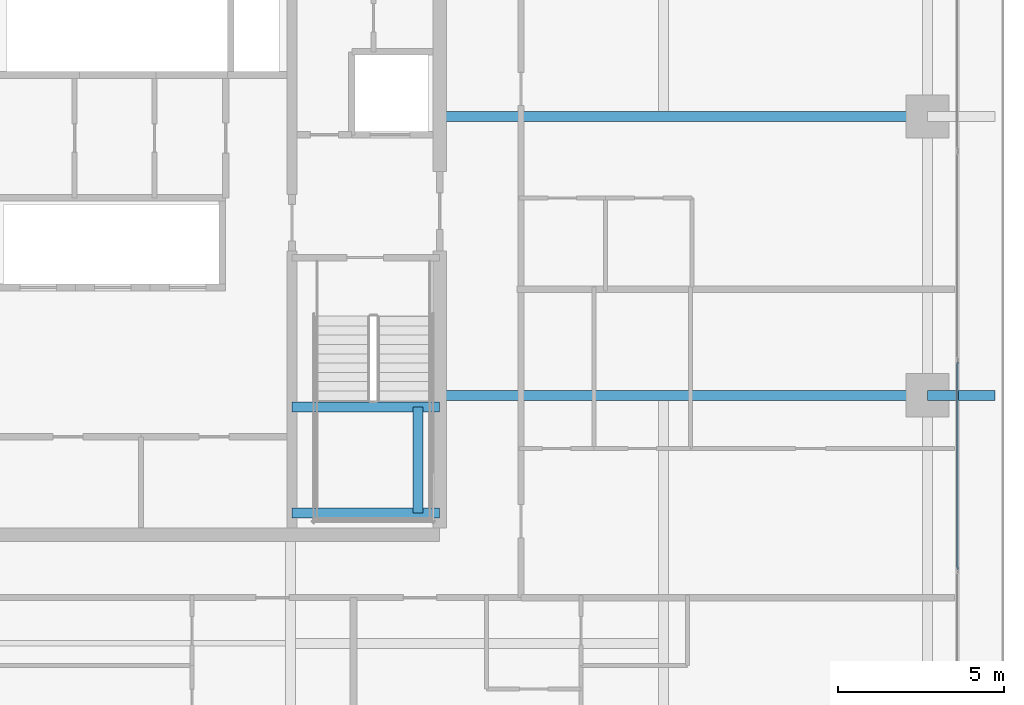
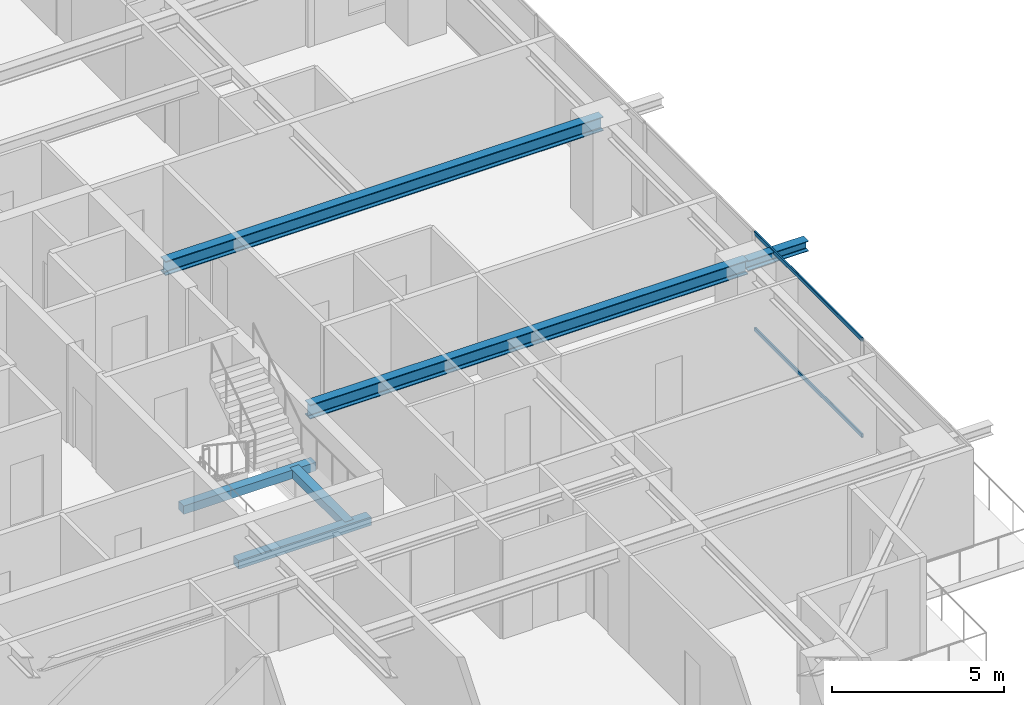
# One storey, part 15 of 37: 6 beams, 2 members, 1 element without a shape of its own.
"""IFC4 building model written with IfcOpenShell, lengths in metres."""

import ifcopenshell
import ifcopenshell.guid

model = None  # the IFC model being written
_history = None  # IfcOwnerHistory: only IFC2X3 demands one
_inside = {}  # id of a spatial element -> (the spatial element, [elements in it])
_under = {}  # id of a project, library or spatial element -> (it, [spatial elements below it])
_declared = {}  # id of a project -> (the project, [libraries it declares])
_typed = {}  # id of a type object -> (the type object, [elements of that type])
_made_of = {}  # id of a material, layer set ... -> (it, [elements and type objects made of it])


def new_model(schema):
    """Start an empty IFC model of exactly this schema.

    Asked for "IFC4X3", IfcOpenShell would pick the latest addendum, in which some entities
    have other attributes; the version numbers below select the first issue.
    IFC2X3 requires an IfcOwnerHistory on every rooted entity: one is made here for all.
    """
    global model, _history
    if schema == "IFC4X3":
        model = ifcopenshell.file(schema_version=(4, 3, 0, 0))
    else:
        model = ifcopenshell.file(schema=schema)
    _inside.clear()
    _under.clear()
    _declared.clear()
    _typed.clear()
    _made_of.clear()
    _history = None
    if model.schema == "IFC2X3":
        org = make("IfcOrganization", Name="unknown")
        user = make(
            "IfcPersonAndOrganization",
            ThePerson=make("IfcPerson", FamilyName="unknown"),
            TheOrganization=org,
        )
        app = make(
            "IfcApplication",
            ApplicationDeveloper=org,
            Version="unknown",
            ApplicationFullName="unknown",
            ApplicationIdentifier="unknown",
        )
        _history = make(
            "IfcOwnerHistory",
            OwningUser=user,
            OwningApplication=app,
            ChangeAction="ADDED",
            CreationDate=0,
        )
    return model


def make(cls, **values):
    """One entity of the class cls with the attributes given. An attribute that is None is left unset."""
    return model.create_entity(
        cls, **{name: value for name, value in values.items() if value is not None}
    )


def rooted(cls, **values):
    """An entity with a GlobalId (a new one), such as an element, a storey or a relation."""
    return make(cls, GlobalId=ifcopenshell.guid.new(), OwnerHistory=_history, **values)


def si_unit(unit_type, name, prefix=None):
    """IfcSIUnit, for example si_unit("LENGTHUNIT", "METRE", prefix="MILLI")."""
    return make("IfcSIUnit", UnitType=unit_type, Prefix=prefix, Name=name)


def assignment(units):
    """IfcUnitAssignment: the units of a project."""
    return None if units is None else make("IfcUnitAssignment", Units=units)


def point(xyz):
    """IfcCartesianPoint."""
    return None if xyz is None else make("IfcCartesianPoint", Coordinates=xyz)


def direction(xyz):
    """IfcDirection."""
    return None if xyz is None else make("IfcDirection", DirectionRatios=xyz)


def frame(location, z_axis=None, x_axis=None):
    """IfcAxis2Placement3D, a coordinate frame: its origin and axes. An axis left out is left unset."""
    return make(
        "IfcAxis2Placement3D",
        Location=point(location),
        Axis=direction(z_axis),
        RefDirection=direction(x_axis),
    )


def frame_2d(location, x_axis=None):
    """IfcAxis2Placement2D, a coordinate frame in the plane: its origin and x axis."""
    return make(
        "IfcAxis2Placement2D", Location=point(location), RefDirection=direction(x_axis)
    )


def origin():
    """The frame at (0, 0, 0) with its axes left unset."""
    return frame((0.0, 0.0, 0.0))


def origin_2d():
    """The frame at (0, 0) in the plane with its x axis left unset."""
    return frame_2d((0.0, 0.0))


def place(relative_to, where):
    """IfcLocalPlacement: puts the frame where relative to a parent placement (None: the world)."""
    return make(
        "IfcLocalPlacement", PlacementRelTo=relative_to, RelativePlacement=where
    )


def context(
    kind, dimensions, precision=None, world=None, true_north=None, identifier=None
):
    """IfcGeometricRepresentationContext, for example the 3D "Model" context."""
    return make(
        "IfcGeometricRepresentationContext",
        ContextIdentifier=identifier,
        ContextType=kind,
        CoordinateSpaceDimension=dimensions,
        Precision=precision,
        WorldCoordinateSystem=world,
        TrueNorth=true_north,
    )


def subcontext(parent, identifier, kind, view, scale=None):
    """IfcGeometricRepresentationSubContext, for example "Body" below "Model"."""
    return make(
        "IfcGeometricRepresentationSubContext",
        ContextIdentifier=identifier,
        ContextType=kind,
        ParentContext=parent,
        TargetScale=scale,
        TargetView=view,
    )


def project(units=None, contexts=None):
    """IfcProject with its units and contexts."""
    return rooted(
        "IfcProject",
        Name="project",
        RepresentationContexts=contexts,
        UnitsInContext=assignment(units),
    )


def spatial(cls, under=None, at=None, **own):
    """A site, building, storey or space (cls), placed at a placement, below another one or the project."""
    s = rooted(cls, ObjectPlacement=at, **own)
    if under is not None:
        _under.setdefault(under.id(), (under, []))[1].append(s)
    return s


def profile(cls, at=None, kind="AREA", **sizes):
    """A parametric profile (cls). Its sizes go by their IFC names, for example OverallWidth=200.0."""
    return make(cls, ProfileType=kind, Position=at, **sizes)


def rectangle(**sizes):
    """IfcRectangleProfileDef."""
    return profile("IfcRectangleProfileDef", **sizes)


def hollow_rectangle(**sizes):
    """IfcRectangleHollowProfileDef."""
    return profile("IfcRectangleHollowProfileDef", **sizes)


def i_section(**sizes):
    """IfcIShapeProfileDef."""
    return profile("IfcIShapeProfileDef", **sizes)


def extrude(swept, where, along, depth):
    """IfcExtrudedAreaSolid: the profile swept, set in the frame where, extruded along a direction by depth."""
    return make(
        "IfcExtrudedAreaSolid",
        SweptArea=swept,
        Position=where,
        ExtrudedDirection=direction(along),
        Depth=depth,
    )


def shape(context_of_items, identifier, shape_type, items):
    """IfcShapeRepresentation: the items that make up one representation, for example the "Body"."""
    return make(
        "IfcShapeRepresentation",
        ContextOfItems=context_of_items,
        RepresentationIdentifier=identifier,
        RepresentationType=shape_type,
        Items=items,
    )


def source(mapping_origin, context_of_items, identifier, shape_type, items):
    """IfcRepresentationMap: a shape defined once, which mapped items show again and again."""
    return make(
        "IfcRepresentationMap",
        MappingOrigin=mapping_origin,
        MappedRepresentation=shape(context_of_items, identifier, shape_type, items),
    )


def transform(
    local_origin,
    x_axis=None,
    y_axis=None,
    z_axis=None,
    scale=None,
    scale2=None,
    scale3=None,
    uniform=True,
):
    """IfcCartesianTransformationOperator3D, or its non-uniform kind. x_axis, y_axis, z_axis: its Axis1, 2, 3."""
    if uniform:
        return make(
            "IfcCartesianTransformationOperator3D",
            Axis1=direction(x_axis),
            Axis2=direction(y_axis),
            LocalOrigin=point(local_origin),
            Scale=scale,
            Axis3=direction(z_axis),
        )
    return make(
        "IfcCartesianTransformationOperator3DnonUniform",
        Axis1=direction(x_axis),
        Axis2=direction(y_axis),
        LocalOrigin=point(local_origin),
        Scale=scale,
        Axis3=direction(z_axis),
        Scale2=scale2,
        Scale3=scale3,
    )


def mapped(mapping_source, mapping_target):
    """IfcMappedItem: shows the shape of a source again, moved by a transform."""
    return make(
        "IfcMappedItem", MappingSource=mapping_source, MappingTarget=mapping_target
    )


def material(Name=None, Category=None):
    """IfcMaterial."""
    return make("IfcMaterial", Name=Name, Category=Category)


def layer(
    of_material, thickness, ventilated=None, Name=None, Category=None, Priority=None
):
    """IfcMaterialLayer: one layer of a wall or slab, of a material (None: an air gap)."""
    return make(
        "IfcMaterialLayer",
        Material=of_material,
        LayerThickness=thickness,
        IsVentilated=ventilated,
        Name=Name,
        Category=Category,
        Priority=Priority,
    )


def layer_set(layers, Name=None):
    """IfcMaterialLayerSet."""
    return make("IfcMaterialLayerSet", MaterialLayers=layers, LayerSetName=Name)


def material_profile(
    of_material, cross_section, Name=None, Category=None, Priority=None
):
    """IfcMaterialProfile: a cross section and its material."""
    return make(
        "IfcMaterialProfile",
        Name=Name,
        Material=of_material,
        Profile=cross_section,
        Priority=Priority,
        Category=Category,
    )


def profile_set(profiles, Name=None, composite=None):
    """IfcMaterialProfileSet."""
    return make(
        "IfcMaterialProfileSet",
        Name=Name,
        MaterialProfiles=profiles,
        CompositeProfile=composite,
    )


def made_of(thing, what):
    """Note that an element or type object is made of a material, layer set ...; save() writes the relation."""
    if what is not None:
        _made_of.setdefault(what.id(), (what, []))[1].append(thing)
    return thing


def type_object(cls, material=None, **own):
    """A type object (cls), such as IfcWallType, which elements share."""
    return made_of(rooted(cls, **own), material)


def element(
    cls,
    number,
    at=None,
    inside=None,
    cuts=None,
    type_object=None,
    material=None,
    context=None,
    identifier="Body",
    shape_type=None,
    held_by="IfcProductDefinitionShape",
    body=None,
    shapes=None,
    **own,
):
    """One element of the class cls, such as IfcWall. Its Tag is "e" and its number.

    at: its placement. inside: the storey or other place that contains it. cuts: it is an
    opening in that element (IfcRelVoidsElement). A single representation is given by context,
    identifier, shape_type and body (its items); several are given by shapes. held_by: the class
    of the entity that holds the representations. save() writes the other relations.
    """
    e = rooted(cls, Tag="e%d" % number, ObjectPlacement=at, **own)
    if body is not None:
        shapes = [shape(context, identifier, shape_type, body)]
    if shapes is not None:
        e.Representation = make(held_by, Representations=shapes)
    if inside is not None:
        _inside.setdefault(inside.id(), (inside, []))[1].append(e)
    if cuts is not None:
        rooted(
            "IfcRelVoidsElement", RelatingBuildingElement=cuts, RelatedOpeningElement=e
        )
    if type_object is not None:
        _typed.setdefault(type_object.id(), (type_object, []))[1].append(e)
    return made_of(e, material)


def aggregate(whole, parts):
    """IfcRelAggregates: a whole, such as a stair, and the parts it consists of."""
    return rooted("IfcRelAggregates", RelatingObject=whole, RelatedObjects=parts)


def save(model, path):
    """Write the relations noted so far, then the file.

    IfcRelAggregates (storeys below a building ...), IfcRelContainedInSpatialStructure (elements
    in a storey), IfcRelDefinesByType, IfcRelAssociatesMaterial and IfcRelDeclares: one each for
    every whole, place, type object, material and project.
    """
    for whole, parts in _under.values():
        aggregate(whole, parts)
    for where, things in _inside.values():
        rooted(
            "IfcRelContainedInSpatialStructure",
            RelatedElements=things,
            RelatingStructure=where,
        )
    for kind, things in _typed.values():
        rooted("IfcRelDefinesByType", RelatedObjects=things, RelatingType=kind)
    for what, things in _made_of.values():
        rooted("IfcRelAssociatesMaterial", RelatedObjects=things, RelatingMaterial=what)
    for by, libraries in _declared.values():
        rooted("IfcRelDeclares", RelatingContext=by, RelatedDefinitions=libraries)
    model.write(path)


model = new_model("IFC4")

# Units and contexts
model_context = context("Model", 3, precision=1e-05, world=origin(), true_north=direction((0.0, 1.0)))
body_context = subcontext(model_context, "Body", "Model", "MODEL_VIEW")
ifc_project = project(units=[si_unit("LENGTHUNIT", "METRE"), si_unit("AREAUNIT", "SQUARE_METRE"), si_unit("VOLUMEUNIT", "CUBIC_METRE"), si_unit("PLANEANGLEUNIT", "RADIAN"), si_unit("MASSUNIT", "GRAM", prefix="KILO")], contexts=[model_context])

# Site, building, storey
site_placement = place(None, origin())
site = spatial("IfcSite", under=ifc_project, at=site_placement, CompositionType="ELEMENT")
building_placement = place(site_placement, origin())
building = spatial("IfcBuilding", under=site, at=building_placement, Name="Serunith Strait Residences", CompositionType="ELEMENT")
storey_placement = place(building_placement, frame((0.0, 0.0, 138.89990234375)))
storey = spatial("IfcBuildingStorey", under=building, at=storey_placement, Name="L34", CompositionType="ELEMENT", Elevation=138.89990234375)

# Beams
ifc_material_1 = material(Name="Steel S355J2", Category="steel")
ifc_material_profile_1 = material_profile(ifc_material_1, i_section(OverallWidth=0.300048828125, OverallDepth=0.5, WebThickness=0.014404296875, FlangeThickness=0.028076171875, FilletRadius=0.027099609375, at=origin_2d()), Name="HEB 500")
ifc_profile_set_1 = profile_set([ifc_material_profile_1], Name="Steel S355J2")
beam_type_1 = type_object("IfcBeamType", Name="BM-HEB500", PredefinedType="BEAM", material=ifc_profile_set_1)
shared_shape_1 = source(origin(), body_context, "Body", "SweptSolid", [
    extrude(i_section(OverallWidth=0.300048828125, OverallDepth=0.5, WebThickness=0.014404296875, FlangeThickness=0.028076171875, FilletRadius=0.027099609375, at=origin_2d()), origin(), (0.0, 0.0, 1.0), 14.7001953125),
])
for number, where, z_axis, x_axis, name in (
    (1, (41.39990234375, 21.0, 3.237060546875), (1.0, 0.0, 0.0), (0.0, 1.0, 0.0), "L34 Primary Floor Girder TC-E2"),
    (2, (41.39990234375, 29.39990234375, 3.237060546875), (1.0, 0.0, 0.0), (0.0, 1.0, 0.0), "L34 Primary Floor Girder TC-E3"),
):
    element("IfcBeam", number, at=place(storey_placement, frame(where, z_axis=z_axis, x_axis=x_axis)), inside=storey, type_object=beam_type_1, Name=name, PredefinedType="BEAM", context=body_context, shape_type="MappedRepresentation", body=[
        mapped(shared_shape_1, transform((0.0, 0.0, 0.0), scale=1.0)),
    ])
ifc_material_profile_2 = material_profile(ifc_material_1, i_section(OverallWidth=0.300048828125, OverallDepth=0.360107421875, WebThickness=0.012451171875, FlangeThickness=0.0224609375, FilletRadius=0.027099609375, at=origin_2d()), Name="HEB 360")
ifc_profile_set_2 = profile_set([ifc_material_profile_2], Name="Steel S355J2")
beam_type_2 = type_object("IfcBeamType", Name="BM-HEB360", PredefinedType="BEAM", material=ifc_profile_set_2)
shared_shape_2 = source(origin(), body_context, "Body", "SweptSolid", [
    extrude(i_section(OverallWidth=0.300048828125, OverallDepth=0.360107421875, WebThickness=0.012451171875, FlangeThickness=0.0224609375, FilletRadius=0.027099609375, at=origin_2d()), origin(), (0.0, 0.0, 1.0), 2.02978515625),
])
beam_1_placement = place(storey_placement, frame((56.10009765625, 21.0, 3.277099609375), z_axis=(1.0, 0.0, 0.0), x_axis=(0.0, 1.0, 0.0)))
element("IfcBeam", 3, at=beam_1_placement, inside=storey, type_object=beam_type_2, Name="L35 Cantilevered Balcony Rib TC-E2", PredefinedType="BEAM", context=body_context, shape_type="MappedRepresentation", body=[
    mapped(shared_shape_2, transform((0.0, 0.0, 0.0), scale=1.0)),
])
ifc_material_2 = material(Name="Concrete C60/75", Category="concrete")
ifc_material_profile_3 = material_profile(ifc_material_2, rectangle(XDim=0.300048828125, YDim=0.300048828125, at=origin_2d()), Name="RC 300x300")
ifc_profile_set_3 = profile_set([ifc_material_profile_3], Name="Concrete C60/75")
beam_type_3 = type_object("IfcBeamType", Name="BM-LAND-300x300", PredefinedType="BEAM", material=ifc_profile_set_3)
shared_shape_3 = source(origin(), body_context, "Body", "SweptSolid", [
    extrude(rectangle(XDim=0.300048828125, YDim=0.300048828125, at=origin_2d()), origin(), (0.0, 0.0, 1.0), 3.199951171875),
])
beam_2_placement = place(storey_placement, frame((40.75, 17.449951171875, 1.525146484375), z_axis=(0.0, 1.0, 0.0), x_axis=(-1.0, 0.0, 0.0)))
element("IfcBeam", 4, at=beam_2_placement, inside=storey, type_object=beam_type_3, Name="L34 ST-2 Landing Transverse Tie Beam", PredefinedType="BEAM", context=body_context, shape_type="MappedRepresentation", body=[
    mapped(shared_shape_3, transform((0.0, 0.0, 0.0), scale=1.0)),
])
shared_shape_4 = source(origin(), body_context, "Body", "SweptSolid", [
    extrude(rectangle(XDim=0.300048828125, YDim=0.300048828125, at=origin_2d()), origin(), (0.0, 0.0, 1.0), 4.449951171875),
])
for number, where, z_axis, x_axis, name in (
    (5, (36.949951171875, 17.449951171875, 1.525146484375), (1.0, 0.0, 0.0), (0.0, 1.0, 0.0), "L34 ST-2 Landing Support Beam 1"),
    (6, (36.949951171875, 20.64990234375, 1.525146484375), (1.0, 0.0, 0.0), (0.0, 1.0, 0.0), "L34 ST-2 Landing Support Beam 2"),
):
    element("IfcBeam", number, at=place(storey_placement, frame(where, z_axis=z_axis, x_axis=x_axis)), inside=storey, type_object=beam_type_3, Name=name, PredefinedType="BEAM", context=body_context, shape_type="MappedRepresentation", body=[
        mapped(shared_shape_4, transform((0.0, 0.0, 0.0), scale=1.0)),
    ])

# Curtain wall, members
ifc_material_3 = material(Name="Pale-Champagne Anodised Aluminium", Category="aluminium")
ifc_layer = layer(ifc_material_3, 0.199951171875, Name="Pale-Champagne Anodised Aluminium")
ifc_layer_set = layer_set([ifc_layer], Name="Pale-Champagne Anodised Aluminium")
curtain_wall_type = type_object("IfcCurtainWallType", Name="CW-SYS2", PredefinedType="NOTDEFINED", material=ifc_layer_set)
curtain_wall_placement = place(storey_placement, origin())
curtain_wall = element("IfcCurtainWall", 7, at=curtain_wall_placement, inside=storey, type_object=curtain_wall_type, Name="L34 E Unitised Fritted Curtain Wall", PredefinedType="NOTDEFINED")
ifc_material_profile_4 = material_profile(ifc_material_3, hollow_rectangle(XDim=0.06005859375, YDim=0.139892578125, WallThickness=0.00341796875, InnerFilletRadius=0.00537109375, OuterFilletRadius=0.0087890625, at=origin_2d()), Name="ALU 140x60x3.5")
ifc_profile_set_4 = profile_set([ifc_material_profile_4], Name="Pale-Champagne Anodised Aluminium")
member_type = type_object("IfcMemberType", Name="CW-SYS2-TRAN", PredefinedType="USERDEFINED", material=ifc_profile_set_4)
shared_shape_5 = source(origin(), body_context, "Body", "SweptSolid", [
    extrude(hollow_rectangle(XDim=0.06005859375, YDim=0.139892578125, WallThickness=0.00341796875, InnerFilletRadius=0.00537109375, OuterFilletRadius=0.0087890625, at=origin_2d()), origin(), (0.0, 0.0, 1.0), 6.25),
])
member_1_placement = place(storey_placement, frame((57.0, 15.7548828125, 0.030029296875), z_axis=(0.0, 1.0, 0.0), x_axis=(-1.0, 0.0, 0.0)))
member_1 = element("IfcMember", 8, at=member_1_placement, type_object=member_type, Name="CW-2 transom 2.1", ObjectType="TRANSOM", PredefinedType="USERDEFINED", context=body_context, shape_type="MappedRepresentation", body=[
    mapped(shared_shape_5, transform((0.0, 0.0, 0.0), scale=1.0)),
])
member_2_placement = place(storey_placement, frame((57.0, 15.7548828125, 3.445068359375), z_axis=(0.0, 1.0, 0.0), x_axis=(-1.0, 0.0, 0.0)))
member_2 = element("IfcMember", 9, at=member_2_placement, type_object=member_type, Name="CW-2 transom 2.2", ObjectType="TRANSOM", PredefinedType="USERDEFINED", context=body_context, shape_type="MappedRepresentation", body=[
    mapped(shared_shape_5, transform((0.0, 0.0, 0.0), scale=1.0)),
])
aggregate(curtain_wall, [member_1, member_2])

save(model, "model.ifc")
